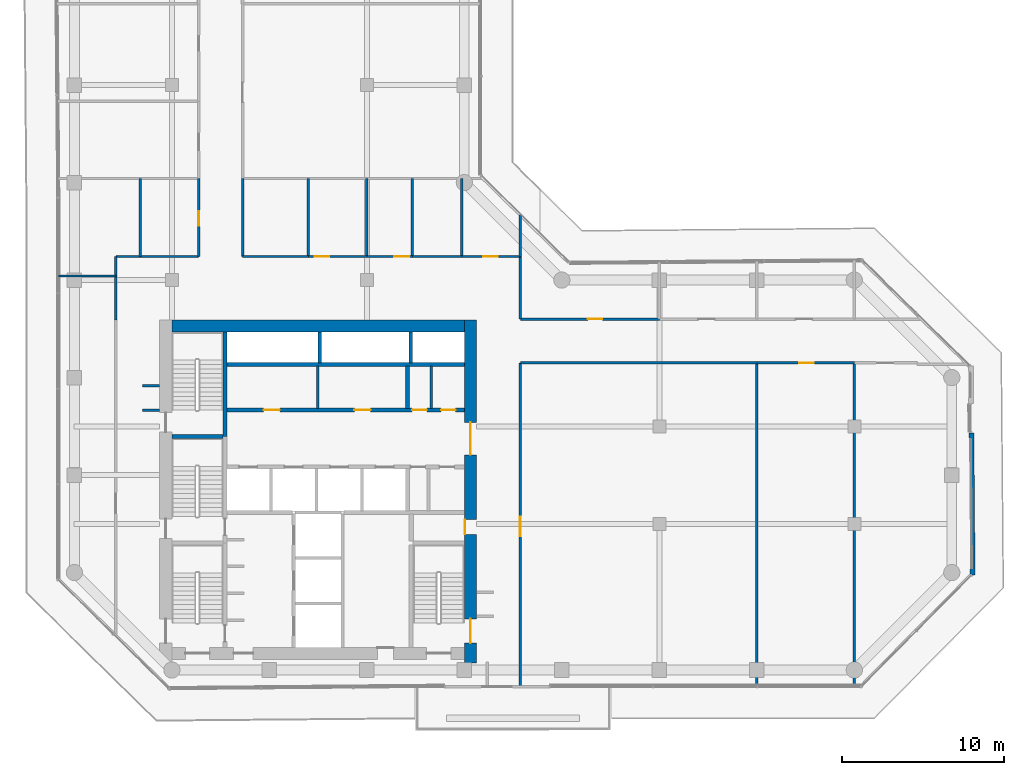
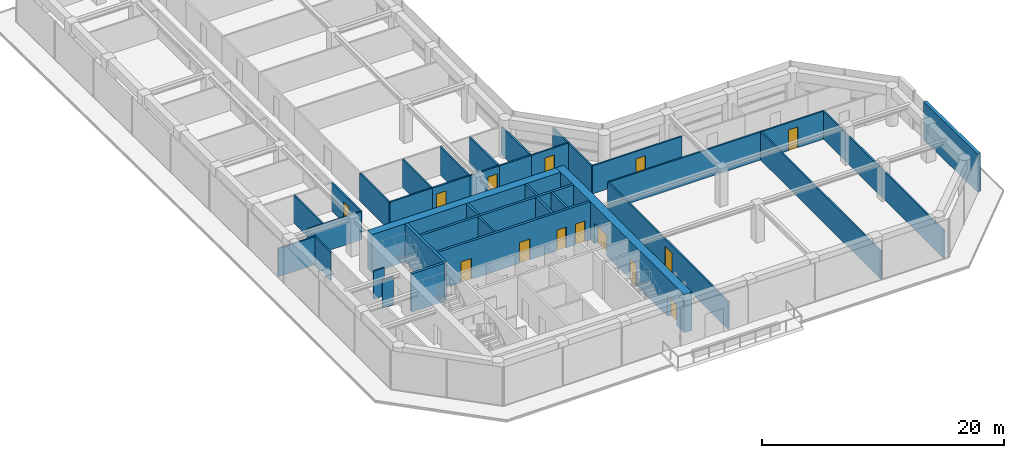
# One storey, part 17 of 21: 37 walls, 14 doors, 14 openings.
"""IFC4 building model written with IfcOpenShell, lengths in metres."""

from ifc_helpers import new_model, si_unit, direction, frame, frame_2d, origin, place, context, subcontext, project, spatial, rectangle, extrude, material, layer, layer_set, type_object, element, fill, save


model = new_model("IFC4")

# Units and contexts
model_context = context("Model", 3, precision=1e-05, world=origin(), true_north=direction((0.0, 1.0)))
body_context = subcontext(model_context, "Body", "Model", "MODEL_VIEW")
ifc_project = project(units=[si_unit("LENGTHUNIT", "METRE"), si_unit("AREAUNIT", "SQUARE_METRE"), si_unit("VOLUMEUNIT", "CUBIC_METRE"), si_unit("PLANEANGLEUNIT", "RADIAN"), si_unit("MASSUNIT", "GRAM", prefix="KILO")], contexts=[model_context])

# Site, building, storey
site_placement = place(None, origin())
site = spatial("IfcSite", under=ifc_project, at=site_placement, CompositionType="ELEMENT")
building_placement = place(site_placement, origin())
building = spatial("IfcBuilding", under=site, at=building_placement, Name="Welwitschia Terrace Campus", CompositionType="ELEMENT")
storey_placement = place(building_placement, frame((0.0, 0.0, 108.800048828125)))
storey = spatial("IfcBuildingStorey", under=building, at=storey_placement, Name="L24", CompositionType="ELEMENT", Elevation=108.800048828125)

# Walls
ifc_material_1 = material(Name="Concrete C32/40", Category="concrete")
ifc_layer_1 = layer(ifc_material_1, 0.175048828125)
ifc_layer_set_1 = layer_set([ifc_layer_1], Name="Concrete C32/40")
wall_type_1 = type_object("IfcWallType", Name="Core partition 175 Concrete C32/40", PredefinedType="PARTITIONING", material=ifc_layer_set_1)
for number, where, z_axis, x_axis, name in (
    (1, (14.97509765625, 20.10009765625, 0.0), (0.0, 0.0, 1.0), (0.0, 1.0, 0.0), "Core partition"),
    (2, (21.9599609375, 20.10009765625, 0.0), (0.0, 0.0, 1.0), (0.0, 1.0, 0.0), "Core partition"),
):
    element("IfcWall", number, at=place(storey_placement, frame(where, z_axis=z_axis, x_axis=x_axis)), inside=storey, type_object=wall_type_1, Name=name, PredefinedType="PARTITIONING", context=body_context, shape_type="SweptSolid", body=[
        extrude(rectangle(XDim=2.599853515625, YDim=0.175048828125, at=frame_2d((1.2998046875, 0.0))), origin(), (0.0, 0.0, 1.0), 3.849853515625),
    ])

# Wall, openings, doors
ifc_material_2 = material(Name="Concrete C32/40", Category="concrete")
ifc_layer_2 = layer(ifc_material_2, 0.22509765625)
ifc_layer_set_2 = layer_set([ifc_layer_2], Name="Concrete C32/40")
wall_type_2 = type_object("IfcWallType", Name="Core partition 225 Concrete C32/40", PredefinedType="PARTITIONING", material=ifc_layer_set_2)
wall_1_placement = place(storey_placement, frame((24.0, 20.0, 0.0), z_axis=(0.0, 0.0, 1.0), x_axis=(-1.0, 0.0, 0.0)))
wall_1 = element("IfcWall", 3, at=wall_1_placement, inside=storey, type_object=wall_type_2, Name="Core partition", PredefinedType="PARTITIONING", context=body_context, shape_type="SweptSolid", body=[
    extrude(rectangle(XDim=14.60009765625, YDim=0.22509765625, at=frame_2d((7.300048828125, 0.0))), origin(), (0.0, 0.0, 1.0), 3.849853515625),
])
opening_1_placement = place(wall_1_placement, frame((11.35009765625, 0.0, 0.0)))
opening_1 = element("IfcOpeningElement", 4, at=opening_1_placement, cuts=wall_1, Name="Opening DR10", PredefinedType="OPENING", context=body_context, shape_type="SweptSolid", body=[
    extrude(rectangle(XDim=1.0, YDim=2.10009765625, at=frame_2d((0.5, 1.050048828125))), frame((0.0, 0.12255859375, 0.0), z_axis=(0.0, -1.0, 0.0), x_axis=(1.0, 0.0, 0.0)), (0.0, 0.0, 1.0), 0.2451171875),
])
opening_2_placement = place(wall_1_placement, frame((5.77490234375, 0.0, 0.0)))
opening_2 = element("IfcOpeningElement", 5, at=opening_2_placement, cuts=wall_1, Name="Opening DR10", PredefinedType="OPENING", context=body_context, shape_type="SweptSolid", body=[
    extrude(rectangle(XDim=1.0, YDim=2.10009765625, at=frame_2d((0.5, 1.050048828125))), frame((0.0, 0.12255859375, 0.0), z_axis=(0.0, -1.0, 0.0), x_axis=(1.0, 0.0, 0.0)), (0.0, 0.0, 1.0), 0.2451171875),
])
opening_3_placement = place(wall_1_placement, frame((2.3076171875, 0.0, 0.0)))
opening_3 = element("IfcOpeningElement", 6, at=opening_3_placement, cuts=wall_1, Name="Opening DR09", PredefinedType="OPENING", context=body_context, shape_type="SweptSolid", body=[
    extrude(rectangle(XDim=0.89990234375, YDim=2.10009765625, at=frame_2d((0.449951171875, 1.050048828125))), frame((0.0, 0.12255859375, 0.0), z_axis=(0.0, -1.0, 0.0), x_axis=(1.0, 0.0, 0.0)), (0.0, 0.0, 1.0), 0.2451171875),
])
opening_4_placement = place(wall_1_placement, frame((0.532470703125, 0.0, 0.0)))
opening_4 = element("IfcOpeningElement", 7, at=opening_4_placement, cuts=wall_1, Name="Opening DR09", PredefinedType="OPENING", context=body_context, shape_type="SweptSolid", body=[
    extrude(rectangle(XDim=0.89990234375, YDim=2.10009765625, at=frame_2d((0.449951171875, 1.050048828125))), frame((0.0, 0.12255859375, 0.0), z_axis=(0.0, -1.0, 0.0), x_axis=(1.0, 0.0, 0.0)), (0.0, 0.0, 1.0), 0.2451171875),
])
ifc_material_3 = material(Name="Steel S275", Category="steel")
door_type_1 = type_object("IfcDoorType", Name="Core door DR09", OperationType="SINGLE_SWING_LEFT", PredefinedType="DOOR", material=ifc_material_3)
door_1_placement = place(opening_3_placement, origin())
door_1 = element("IfcDoor", 8, at=door_1_placement, inside=storey, type_object=door_type_1, Name="Door EH1-D", OperationType="SINGLE_SWING_LEFT", OverallHeight=2.10009765625, OverallWidth=0.89990234375, PredefinedType="DOOR", context=body_context, shape_type="SweptSolid", body=[
    extrude(rectangle(XDim=0.89990234375, YDim=2.10009765625, at=frame_2d((0.449951171875, 1.050048828125))), frame((0.0, 0.02490234375, 0.0), z_axis=(0.0, -1.0, 0.0), x_axis=(1.0, 0.0, 0.0)), (0.0, 0.0, 1.0), 0.050048828125),
])
fill(opening_3, door_1)
door_2_placement = place(opening_4_placement, origin())
door_2 = element("IfcDoor", 9, at=door_2_placement, inside=storey, type_object=door_type_1, Name="Door EH2-D", OperationType="SINGLE_SWING_LEFT", OverallHeight=2.10009765625, OverallWidth=0.89990234375, PredefinedType="DOOR", context=body_context, shape_type="SweptSolid", body=[
    extrude(rectangle(XDim=0.89990234375, YDim=2.10009765625, at=frame_2d((0.449951171875, 1.050048828125))), frame((0.0, 0.02490234375, 0.0), z_axis=(0.0, -1.0, 0.0), x_axis=(1.0, 0.0, 0.0)), (0.0, 0.0, 1.0), 0.050048828125),
])
fill(opening_4, door_2)
ifc_material_4 = material(Name="Steel S275", Category="steel")
door_type_2 = type_object("IfcDoorType", Name="Core door DR10", OperationType="SINGLE_SWING_LEFT", PredefinedType="DOOR", material=ifc_material_4)
door_3_placement = place(opening_1_placement, origin())
door_3 = element("IfcDoor", 10, at=door_3_placement, inside=storey, type_object=door_type_2, Name="Door BAYH1-D", OperationType="SINGLE_SWING_RIGHT", OverallHeight=2.10009765625, OverallWidth=1.0, PredefinedType="DOOR", context=body_context, shape_type="SweptSolid", body=[
    extrude(rectangle(XDim=1.0, YDim=2.10009765625, at=frame_2d((0.5, 1.050048828125))), frame((0.0, 0.02490234375, 0.0), z_axis=(0.0, -1.0, 0.0), x_axis=(1.0, 0.0, 0.0)), (0.0, 0.0, 1.0), 0.050048828125),
])
fill(opening_1, door_3)
door_4_placement = place(opening_2_placement, origin())
door_4 = element("IfcDoor", 11, at=door_4_placement, inside=storey, type_object=door_type_2, Name="Door BAYH2-D", OperationType="SINGLE_SWING_LEFT", OverallHeight=2.10009765625, OverallWidth=1.0, PredefinedType="DOOR", context=body_context, shape_type="SweptSolid", body=[
    extrude(rectangle(XDim=1.0, YDim=2.10009765625, at=frame_2d((0.5, 1.050048828125))), frame((0.0, 0.02490234375, 0.0), z_axis=(0.0, -1.0, 0.0), x_axis=(1.0, 0.0, 0.0)), (0.0, 0.0, 1.0), 0.050048828125),
])
fill(opening_2, door_4)

# Walls
wall_2_placement = place(storey_placement, frame((9.39990234375, 22.800048828125, 0.0), z_axis=(0.0, 0.0, 1.0), x_axis=(1.0, 0.0, 0.0)))
element("IfcWall", 12, at=wall_2_placement, inside=storey, type_object=wall_type_2, Name="Shaft wall", PredefinedType="PARTITIONING", context=body_context, shape_type="SweptSolid", body=[
    extrude(rectangle(XDim=14.60009765625, YDim=0.22509765625, at=frame_2d((7.300048828125, 0.0))), origin(), (0.0, 0.0, 1.0), 3.849853515625),
])
wall_3_placement = place(storey_placement, frame((20.5, 20.10009765625, 0.0), z_axis=(0.0, 0.0, 1.0), x_axis=(0.0, 1.0, 0.0)))
element("IfcWall", 13, at=wall_3_placement, inside=storey, type_object=wall_type_2, Name="Core partition", PredefinedType="PARTITIONING", context=body_context, shape_type="SweptSolid", body=[
    extrude(rectangle(XDim=2.599853515625, YDim=0.22509765625, at=frame_2d((1.2998046875, 0.0))), origin(), (0.0, 0.0, 1.0), 3.849853515625),
])
ifc_material_5 = material(Name="Concrete C50/60", Category="concrete")
ifc_layer_3 = layer(ifc_material_5, 0.199951171875)
ifc_layer_set_3 = layer_set([ifc_layer_3], Name="Concrete C50/60")
wall_type_3 = type_object("IfcWallType", Name="Core wall 200 Concrete C50/60", PredefinedType="SHEAR", material=ifc_layer_set_3)
for number, where, z_axis, x_axis, name in (
    (14, (15.10009765625, 22.89990234375, 0.0), (0.0, 0.0, 1.0), (0.0, 1.0, 0.0), "Core wall"),
    (15, (20.699951171875, 22.89990234375, 0.0), (0.0, 0.0, 1.0), (0.0, 1.0, 0.0), "Core wall"),
):
    element("IfcWall", number, at=place(storey_placement, frame(where, z_axis=z_axis, x_axis=x_axis)), inside=storey, type_object=wall_type_3, Name=name, PredefinedType="SHEAR", context=body_context, shape_type="SweptSolid", body=[
        extrude(rectangle(XDim=1.900146484375, YDim=0.199951171875, at=frame_2d((0.9501953125, 0.0))), origin(), (0.0, 0.0, 1.0), 3.849853515625),
    ])
ifc_material_6 = material(Name="Concrete C50/60", Category="concrete")
ifc_layer_4 = layer(ifc_material_6, 0.25)
ifc_layer_set_4 = layer_set([ifc_layer_4], Name="Concrete C50/60")
wall_type_4 = type_object("IfcWallType", Name="Core wall 250 Concrete C50/60", PredefinedType="SHEAR", material=ifc_layer_set_4)
wall_4_placement = place(storey_placement, frame((6.0, 18.375, 0.0), z_axis=(0.0, 0.0, 1.0), x_axis=(1.0, 0.0, 0.0)))
element("IfcWall", 16, at=wall_4_placement, inside=storey, type_object=wall_type_4, Name="Core wall", PredefinedType="SHEAR", context=body_context, shape_type="SweptSolid", body=[
    extrude(rectangle(XDim=3.14990234375, YDim=0.25, at=frame_2d((1.574951171875, 0.0))), origin(), (0.0, 0.0, 1.0), 3.849853515625),
])
wall_5_placement = place(storey_placement, frame((9.27490234375, 18.375, 0.0), z_axis=(0.0, 0.0, 1.0), x_axis=(0.0, 1.0, 0.0)))
element("IfcWall", 17, at=wall_5_placement, inside=storey, type_object=wall_type_4, Name="Core wall", PredefinedType="SHEAR", context=body_context, shape_type="SweptSolid", body=[
    extrude(rectangle(XDim=6.425048828125, YDim=0.25, at=frame_2d((3.21240234375, 0.0))), origin(), (0.0, 0.0, 1.0), 3.849853515625),
])

# Wall, openings, doors
ifc_material_7 = material(Name="Concrete C70/85", Category="concrete")
ifc_layer_5 = layer(ifc_material_7, 0.75)
ifc_layer_set_5 = layer_set([ifc_layer_5], Name="Concrete C70/85")
wall_type_5 = type_object("IfcWallType", Name="Core wall 750 Concrete C70/85", PredefinedType="SHEAR", material=ifc_layer_set_5)
wall_6_placement = place(storey_placement, frame((24.375, 25.550048828125, 0.0), z_axis=(0.0, 0.0, 1.0), x_axis=(0.0, -1.0, 0.0)))
wall_6 = element("IfcWall", 18, at=wall_6_placement, inside=storey, type_object=wall_type_5, Name="Core outer wall", PredefinedType="SHEAR", context=body_context, shape_type="SweptSolid", body=[
    extrude(rectangle(XDim=21.130126953125, YDim=0.75, at=frame_2d((10.56494140625, 0.0))), origin(), (0.0, 0.0, 1.0), 3.849853515625),
])
opening_5_placement = place(wall_6_placement, frame((18.39990234375, 0.0, 0.0)))
opening_5 = element("IfcOpeningElement", 19, at=opening_5_placement, cuts=wall_6, Name="Opening DS15", PredefinedType="OPENING", context=body_context, shape_type="SweptSolid", body=[
    extrude(rectangle(XDim=1.5, YDim=2.10009765625, at=frame_2d((0.75, 1.050048828125))), frame((0.0, 0.385009765625, 0.0), z_axis=(0.0, -1.0, 0.0), x_axis=(1.0, 0.0, 0.0)), (0.0, 0.0, 1.0), 0.77001953125),
])
opening_6_placement = place(wall_6_placement, frame((12.300048828125, 0.0, 0.0)))
opening_6 = element("IfcOpeningElement", 20, at=opening_6_placement, cuts=wall_6, Name="Opening DR09", PredefinedType="OPENING", context=body_context, shape_type="SweptSolid", body=[
    extrude(rectangle(XDim=0.89990234375, YDim=2.10009765625, at=frame_2d((0.449951171875, 1.050048828125))), frame((0.0, 0.385009765625, 0.0), z_axis=(0.0, -1.0, 0.0), x_axis=(1.0, 0.0, 0.0)), (0.0, 0.0, 1.0), 0.77001953125),
])
opening_7_placement = place(wall_6_placement, frame((6.300048828125, 0.0, 0.0)))
opening_7 = element("IfcOpeningElement", 21, at=opening_7_placement, cuts=wall_6, Name="Opening DL20", PredefinedType="OPENING", context=body_context, shape_type="SweptSolid", body=[
    extrude(rectangle(XDim=2.0, YDim=2.10009765625, at=frame_2d((1.0, 1.050048828125))), frame((0.0, 0.385009765625, 0.0), z_axis=(0.0, -1.0, 0.0), x_axis=(1.0, 0.0, 0.0)), (0.0, 0.0, 1.0), 0.77001953125),
])
ifc_material_8 = material(Name="Steel S275", Category="steel")
door_type_3 = type_object("IfcDoorType", Name="Core door DL20", OperationType="DOUBLE_DOOR_SINGLE_SWING", PredefinedType="DOOR", material=ifc_material_8)
door_5_placement = place(opening_7_placement, origin())
door_5 = element("IfcDoor", 22, at=door_5_placement, inside=storey, type_object=door_type_3, Name="Door LOBBY-out", OperationType="DOUBLE_DOOR_SINGLE_SWING", OverallHeight=2.10009765625, OverallWidth=2.0, PredefinedType="DOOR", context=body_context, shape_type="SweptSolid", body=[
    extrude(rectangle(XDim=2.0, YDim=2.10009765625, at=frame_2d((1.0, 1.050048828125))), frame((0.0, 0.02490234375, 0.0), z_axis=(0.0, -1.0, 0.0), x_axis=(1.0, 0.0, 0.0)), (0.0, 0.0, 1.0), 0.050048828125),
])
fill(opening_7, door_5)
door_6_placement = place(opening_6_placement, origin())
door_6 = element("IfcDoor", 23, at=door_6_placement, inside=storey, type_object=door_type_1, Name="Door F1B-out", OperationType="SINGLE_SWING_RIGHT", OverallHeight=2.10009765625, OverallWidth=0.89990234375, PredefinedType="DOOR", context=body_context, shape_type="SweptSolid", body=[
    extrude(rectangle(XDim=0.89990234375, YDim=2.10009765625, at=frame_2d((0.449951171875, 1.050048828125))), frame((0.0, -0.31494140625, 0.0), z_axis=(0.0, -1.0, 0.0), x_axis=(1.0, 0.0, 0.0)), (0.0, 0.0, 1.0), 0.050048828125),
])
fill(opening_6, door_6)
ifc_material_9 = material(Name="Steel S275", Category="steel")
door_type_4 = type_object("IfcDoorType", Name="Core door DS15", OperationType="DOUBLE_DOOR_SINGLE_SWING", PredefinedType="DOOR", material=ifc_material_9)
door_7_placement = place(opening_5_placement, origin())
door_7 = element("IfcDoor", 24, at=door_7_placement, inside=storey, type_object=door_type_4, Name="Door S2-out", OperationType="DOUBLE_DOOR_SINGLE_SWING", OverallHeight=2.10009765625, OverallWidth=1.5, PredefinedType="DOOR", context=body_context, shape_type="SweptSolid", body=[
    extrude(rectangle(XDim=1.5, YDim=2.10009765625, at=frame_2d((0.75, 1.050048828125))), frame((0.0, 0.02490234375, 0.0), z_axis=(0.0, -1.0, 0.0), x_axis=(1.0, 0.0, 0.0)), (0.0, 0.0, 1.0), 0.050048828125),
])
fill(opening_5, door_7)

# Walls
wall_7_placement = place(storey_placement, frame((6.0, 25.175048828125, 0.0), z_axis=(0.0, 0.0, 1.0), x_axis=(1.0, 0.0, 0.0)))
element("IfcWall", 25, at=wall_7_placement, inside=storey, type_object=wall_type_5, Name="Core outer wall", PredefinedType="SHEAR", context=body_context, shape_type="SweptSolid", body=[
    extrude(rectangle(XDim=18.0, YDim=0.75, at=frame_2d((9.0, 0.0))), origin(), (0.0, 0.0, 1.0), 3.849853515625),
])
ifc_material_10 = material(Name="Gypsum board on steel studs", Category="steel")
ifc_layer_6 = layer(ifc_material_10, 0.14990234375)
ifc_layer_set_6 = layer_set([ifc_layer_6], Name="Gypsum board on steel studs")
wall_type_6 = type_object("IfcWallType", Name="Corridor partition 150 EI 30", PredefinedType="PARTITIONING", material=ifc_layer_set_6)
wall_8_placement = place(storey_placement, frame((-0.97998046875, 28.25, 0.0), z_axis=(0.0, 0.0, 1.0), x_axis=(1.0, 0.0, 0.0)))
element("IfcWall", 26, at=wall_8_placement, inside=storey, type_object=wall_type_6, Name="Partition", PredefinedType="PARTITIONING", context=body_context, shape_type="SweptSolid", body=[
    extrude(rectangle(XDim=3.530029296875, YDim=0.14990234375, at=frame_2d((1.76513671875, 0.0))), origin(), (0.0, 0.0, 1.0), 2.829833984375),
])
wall_9_placement = place(storey_placement, frame((2.550048828125, 25.550048828125, 0.0), z_axis=(0.0, 0.0, 1.0), x_axis=(0.0, 1.0, 0.0)))
element("IfcWall", 27, at=wall_9_placement, inside=storey, type_object=wall_type_6, Name="Partition", PredefinedType="PARTITIONING", context=body_context, shape_type="SweptSolid", body=[
    extrude(rectangle(XDim=3.89990234375, YDim=0.14990234375, at=frame_2d((1.949951171875, 0.0))), origin(), (0.0, 0.0, 1.0), 2.829833984375),
])
wall_10_placement = place(storey_placement, frame((2.550048828125, 29.449951171875, 0.0), z_axis=(0.0, 0.0, 1.0), x_axis=(1.0, 0.0, 0.0)))
element("IfcWall", 28, at=wall_10_placement, inside=storey, type_object=wall_type_6, Name="Partition", PredefinedType="PARTITIONING", context=body_context, shape_type="SweptSolid", body=[
    extrude(rectangle(XDim=5.099853515625, YDim=0.14990234375, at=frame_2d((2.5498046875, 0.0))), origin(), (0.0, 0.0, 1.0), 2.829833984375),
])
wall_11_placement = place(storey_placement, frame((4.050048828125, 29.449951171875, 0.0), z_axis=(0.0, 0.0, 1.0), x_axis=(0.0, 1.0, 0.0)))
element("IfcWall", 29, at=wall_11_placement, inside=storey, type_object=wall_type_6, Name="Partition", PredefinedType="PARTITIONING", context=body_context, shape_type="SweptSolid", body=[
    extrude(rectangle(XDim=4.800048828125, YDim=0.14990234375, at=frame_2d((2.39990234375, 0.0))), origin(), (0.0, 0.0, 1.0), 2.829833984375),
])
for number, where, z_axis, x_axis, name in (
    (30, (4.199951171875, 20.0, 0.0), (0.0, 0.0, 1.0), (1.0, 0.0, 0.0), "Partition"),
    (31, (4.199951171875, 21.5, 0.0), (0.0, 0.0, 1.0), (1.0, 0.0, 0.0), "Partition"),
):
    element("IfcWall", number, at=place(storey_placement, frame(where, z_axis=z_axis, x_axis=x_axis)), inside=storey, type_object=wall_type_6, Name=name, PredefinedType="PARTITIONING", context=body_context, shape_type="SweptSolid", body=[
        extrude(rectangle(XDim=1.050048828125, YDim=0.14990234375, at=frame_2d((0.52490234375, 0.0))), origin(), (0.0, 0.0, 1.0), 2.829833984375),
    ])

# Wall, opening, door
wall_12_placement = place(storey_placement, frame((7.64990234375, 29.449951171875, 0.0), z_axis=(0.0, 0.0, 1.0), x_axis=(0.0, 1.0, 0.0)))
wall_12 = element("IfcWall", 32, at=wall_12_placement, inside=storey, type_object=wall_type_6, Name="Partition", PredefinedType="PARTITIONING", context=body_context, shape_type="SweptSolid", body=[
    extrude(rectangle(XDim=4.800048828125, YDim=0.14990234375, at=frame_2d((2.39990234375, 0.0))), origin(), (0.0, 0.0, 1.0), 2.829833984375),
])
opening_8_placement = place(wall_12_placement, frame((1.89990234375, 0.0, 0.0)))
opening_8 = element("IfcOpeningElement", 33, at=opening_8_placement, cuts=wall_12, Name="Opening DI09", PredefinedType="OPENING", context=body_context, shape_type="SweptSolid", body=[
    extrude(rectangle(XDim=0.89990234375, YDim=2.10009765625, at=frame_2d((0.449951171875, 1.050048828125))), frame((0.0, 0.0849609375, 0.0), z_axis=(0.0, -1.0, 0.0), x_axis=(1.0, 0.0, 0.0)), (0.0, 0.0, 1.0), 0.169921875),
])
ifc_material_11 = material(Name="Timber veneered door", Category="wood")
door_type_5 = type_object("IfcDoorType", Name="Interior door DI09", OperationType="NOTDEFINED", PredefinedType="DOOR", material=ifc_material_11)
door_8_placement = place(opening_8_placement, origin())
door_8 = element("IfcDoor", 34, at=door_8_placement, inside=storey, type_object=door_type_5, Name="Door L24 522", OperationType="SINGLE_SWING_LEFT", OverallHeight=2.10009765625, OverallWidth=0.89990234375, PredefinedType="DOOR", context=body_context, shape_type="SweptSolid", body=[
    extrude(rectangle(XDim=0.89990234375, YDim=2.10009765625, at=frame_2d((0.449951171875, 1.050048828125))), frame((0.0, 0.02490234375, 0.0), z_axis=(0.0, -1.0, 0.0), x_axis=(1.0, 0.0, 0.0)), (0.0, 0.0, 1.0), 0.050048828125),
])
fill(opening_8, door_8)

# Walls
wall_13_placement = place(storey_placement, frame((10.35009765625, 29.449951171875, 0.0), z_axis=(0.0, 0.0, 1.0), x_axis=(0.0, 1.0, 0.0)))
element("IfcWall", 35, at=wall_13_placement, inside=storey, type_object=wall_type_6, Name="Partition", PredefinedType="PARTITIONING", context=body_context, shape_type="SweptSolid", body=[
    extrude(rectangle(XDim=4.800048828125, YDim=0.14990234375, at=frame_2d((2.39990234375, 0.0))), origin(), (0.0, 0.0, 1.0), 2.829833984375),
])
wall_14_placement = place(storey_placement, frame((10.35009765625, 29.449951171875, 0.0), z_axis=(0.0, 0.0, 1.0), x_axis=(1.0, 0.0, 0.0)))
element("IfcWall", 36, at=wall_14_placement, inside=storey, type_object=wall_type_6, Name="Partition", PredefinedType="PARTITIONING", context=body_context, shape_type="SweptSolid", body=[
    extrude(rectangle(XDim=4.0498046875, YDim=0.14990234375, at=frame_2d((2.02490234375, 0.0))), origin(), (0.0, 0.0, 1.0), 2.829833984375),
])
wall_15_placement = place(storey_placement, frame((14.39990234375, 29.449951171875, 0.0), z_axis=(0.0, 0.0, 1.0), x_axis=(0.0, 1.0, 0.0)))
element("IfcWall", 37, at=wall_15_placement, inside=storey, type_object=wall_type_6, Name="Partition", PredefinedType="PARTITIONING", context=body_context, shape_type="SweptSolid", body=[
    extrude(rectangle(XDim=4.800048828125, YDim=0.14990234375, at=frame_2d((2.39990234375, 0.0))), origin(), (0.0, 0.0, 1.0), 2.829833984375),
])

# Wall, opening, door
wall_16_placement = place(storey_placement, frame((14.39990234375, 29.449951171875, 0.0), z_axis=(0.0, 0.0, 1.0), x_axis=(1.0, 0.0, 0.0)))
wall_16 = element("IfcWall", 38, at=wall_16_placement, inside=storey, type_object=wall_type_6, Name="Partition", PredefinedType="PARTITIONING", context=body_context, shape_type="SweptSolid", body=[
    extrude(rectangle(XDim=3.60009765625, YDim=0.14990234375, at=frame_2d((1.800048828125, 0.0))), origin(), (0.0, 0.0, 1.0), 2.829833984375),
])
opening_9_placement = place(wall_16_placement, frame((0.39990234375, 0.0, 0.0)))
opening_9 = element("IfcOpeningElement", 39, at=opening_9_placement, cuts=wall_16, Name="Opening DI09", PredefinedType="OPENING", context=body_context, shape_type="SweptSolid", body=[
    extrude(rectangle(XDim=0.89990234375, YDim=2.10009765625, at=frame_2d((0.449951171875, 1.050048828125))), frame((0.0, 0.0849609375, 0.0), z_axis=(0.0, -1.0, 0.0), x_axis=(1.0, 0.0, 0.0)), (0.0, 0.0, 1.0), 0.169921875),
])
door_9_placement = place(opening_9_placement, origin())
door_9 = element("IfcDoor", 40, at=door_9_placement, inside=storey, type_object=door_type_5, Name="Door L24 533", OperationType="SINGLE_SWING_RIGHT", OverallHeight=2.10009765625, OverallWidth=0.89990234375, PredefinedType="DOOR", context=body_context, shape_type="SweptSolid", body=[
    extrude(rectangle(XDim=0.89990234375, YDim=2.10009765625, at=frame_2d((0.449951171875, 1.050048828125))), frame((0.0, 0.02490234375, 0.0), z_axis=(0.0, -1.0, 0.0), x_axis=(1.0, 0.0, 0.0)), (0.0, 0.0, 1.0), 0.050048828125),
])
fill(opening_9, door_9)

# Wall
wall_17_placement = place(storey_placement, frame((18.0, 29.449951171875, 0.0), z_axis=(0.0, 0.0, 1.0), x_axis=(0.0, 1.0, 0.0)))
element("IfcWall", 41, at=wall_17_placement, inside=storey, type_object=wall_type_6, Name="Partition", PredefinedType="PARTITIONING", context=body_context, shape_type="SweptSolid", body=[
    extrude(rectangle(XDim=4.800048828125, YDim=0.14990234375, at=frame_2d((2.39990234375, 0.0))), origin(), (0.0, 0.0, 1.0), 2.829833984375),
])

# Wall, opening, door
wall_18_placement = place(storey_placement, frame((18.0, 29.449951171875, 0.0), z_axis=(0.0, 0.0, 1.0), x_axis=(1.0, 0.0, 0.0)))
wall_18 = element("IfcWall", 42, at=wall_18_placement, inside=storey, type_object=wall_type_6, Name="Partition", PredefinedType="PARTITIONING", context=body_context, shape_type="SweptSolid", body=[
    extrude(rectangle(XDim=2.800048828125, YDim=0.14990234375, at=frame_2d((1.39990234375, 0.0))), origin(), (0.0, 0.0, 1.0), 2.829833984375),
])
opening_10_placement = place(wall_18_placement, frame((1.699951171875, 0.0, 0.0)))
opening_10 = element("IfcOpeningElement", 43, at=opening_10_placement, cuts=wall_18, Name="Opening DI09", PredefinedType="OPENING", context=body_context, shape_type="SweptSolid", body=[
    extrude(rectangle(XDim=0.89990234375, YDim=2.10009765625, at=frame_2d((0.449951171875, 1.050048828125))), frame((0.0, 0.0849609375, 0.0), z_axis=(0.0, -1.0, 0.0), x_axis=(1.0, 0.0, 0.0)), (0.0, 0.0, 1.0), 0.169921875),
])
door_10_placement = place(opening_10_placement, origin())
door_10 = element("IfcDoor", 44, at=door_10_placement, inside=storey, type_object=door_type_5, Name="Door L24 534", OperationType="SINGLE_SWING_LEFT", OverallHeight=2.10009765625, OverallWidth=0.89990234375, PredefinedType="DOOR", context=body_context, shape_type="SweptSolid", body=[
    extrude(rectangle(XDim=0.89990234375, YDim=2.10009765625, at=frame_2d((0.449951171875, 1.050048828125))), frame((0.0, 0.02490234375, 0.0), z_axis=(0.0, -1.0, 0.0), x_axis=(1.0, 0.0, 0.0)), (0.0, 0.0, 1.0), 0.050048828125),
])
fill(opening_10, door_10)

# Walls
wall_19_placement = place(storey_placement, frame((20.800048828125, 29.449951171875, 0.0), z_axis=(0.0, 0.0, 1.0), x_axis=(0.0, 1.0, 0.0)))
element("IfcWall", 45, at=wall_19_placement, inside=storey, type_object=wall_type_6, Name="Partition", PredefinedType="PARTITIONING", context=body_context, shape_type="SweptSolid", body=[
    extrude(rectangle(XDim=4.800048828125, YDim=0.14990234375, at=frame_2d((2.39990234375, 0.0))), origin(), (0.0, 0.0, 1.0), 2.829833984375),
])
wall_20_placement = place(storey_placement, frame((20.800048828125, 29.449951171875, 0.0), z_axis=(0.0, 0.0, 1.0), x_axis=(1.0, 0.0, 0.0)))
element("IfcWall", 46, at=wall_20_placement, inside=storey, type_object=wall_type_6, Name="Partition", PredefinedType="PARTITIONING", context=body_context, shape_type="SweptSolid", body=[
    extrude(rectangle(XDim=3.050048828125, YDim=0.14990234375, at=frame_2d((1.52490234375, 0.0))), origin(), (0.0, 0.0, 1.0), 2.829833984375),
])
wall_21_placement = place(storey_placement, frame((23.85009765625, 29.449951171875, 0.0), z_axis=(0.0, 0.0, 1.0), x_axis=(0.0, 1.0, 0.0)))
element("IfcWall", 47, at=wall_21_placement, inside=storey, type_object=wall_type_6, Name="Partition", PredefinedType="PARTITIONING", context=body_context, shape_type="SweptSolid", body=[
    extrude(rectangle(XDim=4.800048828125, YDim=0.14990234375, at=frame_2d((2.39990234375, 0.0))), origin(), (0.0, 0.0, 1.0), 2.829833984375),
])

# Wall, opening, door
wall_22_placement = place(storey_placement, frame((23.85009765625, 29.449951171875, 0.0), z_axis=(0.0, 0.0, 1.0), x_axis=(1.0, 0.0, 0.0)))
wall_22 = element("IfcWall", 48, at=wall_22_placement, inside=storey, type_object=wall_type_6, Name="Partition", PredefinedType="PARTITIONING", context=body_context, shape_type="SweptSolid", body=[
    extrude(rectangle(XDim=3.599853515625, YDim=0.14990234375, at=frame_2d((1.7998046875, 0.0))), origin(), (0.0, 0.0, 1.0), 2.829833984375),
])
opening_11_placement = place(wall_22_placement, frame((1.300048828125, 0.0, 0.0)))
opening_11 = element("IfcOpeningElement", 49, at=opening_11_placement, cuts=wall_22, Name="Opening DI09", PredefinedType="OPENING", context=body_context, shape_type="SweptSolid", body=[
    extrude(rectangle(XDim=0.89990234375, YDim=2.10009765625, at=frame_2d((0.449951171875, 1.050048828125))), frame((0.0, 0.0849609375, 0.0), z_axis=(0.0, -1.0, 0.0), x_axis=(1.0, 0.0, 0.0)), (0.0, 0.0, 1.0), 0.169921875),
])
door_11_placement = place(opening_11_placement, origin())
door_11 = element("IfcDoor", 50, at=door_11_placement, inside=storey, type_object=door_type_5, Name="Door L24 535", OperationType="SINGLE_SWING_RIGHT", OverallHeight=2.10009765625, OverallWidth=0.89990234375, PredefinedType="DOOR", context=body_context, shape_type="SweptSolid", body=[
    extrude(rectangle(XDim=0.89990234375, YDim=2.10009765625, at=frame_2d((0.449951171875, 1.050048828125))), frame((0.0, 0.02490234375, 0.0), z_axis=(0.0, -1.0, 0.0), x_axis=(1.0, 0.0, 0.0)), (0.0, 0.0, 1.0), 0.050048828125),
])
fill(opening_11, door_11)

wall_23_placement = place(storey_placement, frame((27.449951171875, 22.89990234375, 0.0), z_axis=(0.0, 0.0, 1.0), x_axis=(0.0, -1.0, 0.0)))
wall_23 = element("IfcWall", 51, at=wall_23_placement, inside=storey, type_object=wall_type_6, Name="Partition", PredefinedType="PARTITIONING", context=body_context, shape_type="SweptSolid", body=[
    extrude(rectangle(XDim=19.8798828125, YDim=0.14990234375, at=frame_2d((9.93994140625, 0.0))), origin(), (0.0, 0.0, 1.0), 2.829833984375),
])
opening_12_placement = place(wall_23_placement, frame((9.47998046875, 0.0, 0.0)))
opening_12 = element("IfcOpeningElement", 52, at=opening_12_placement, cuts=wall_23, Name="Opening DI12", PredefinedType="OPENING", context=body_context, shape_type="SweptSolid", body=[
    extrude(rectangle(XDim=1.199951171875, YDim=2.10009765625, at=frame_2d((0.60009765625, 1.050048828125))), frame((0.0, 0.0849609375, 0.0), z_axis=(0.0, -1.0, 0.0), x_axis=(1.0, 0.0, 0.0)), (0.0, 0.0, 1.0), 0.169921875),
])
ifc_material_12 = material(Name="Timber veneered door", Category="wood")
door_type_6 = type_object("IfcDoorType", Name="Interior door DI12", OperationType="NOTDEFINED", PredefinedType="DOOR", material=ifc_material_12)
door_12_placement = place(opening_12_placement, origin())
door_12 = element("IfcDoor", 53, at=door_12_placement, inside=storey, type_object=door_type_6, Name="Door L24 536", OperationType="SINGLE_SWING_LEFT", OverallHeight=2.10009765625, OverallWidth=1.199951171875, PredefinedType="DOOR", context=body_context, shape_type="SweptSolid", body=[
    extrude(rectangle(XDim=1.199951171875, YDim=2.10009765625, at=frame_2d((0.60009765625, 1.050048828125))), frame((0.0, 0.02490234375, 0.0), z_axis=(0.0, -1.0, 0.0), x_axis=(1.0, 0.0, 0.0)), (0.0, 0.0, 1.0), 0.050048828125),
])
fill(opening_12, door_12)

# Walls
wall_24_placement = place(storey_placement, frame((27.449951171875, 22.89990234375, 0.0), z_axis=(0.0, 0.0, 1.0), x_axis=(1.0, 0.0, 0.0)))
element("IfcWall", 54, at=wall_24_placement, inside=storey, type_object=wall_type_6, Name="Partition", PredefinedType="PARTITIONING", context=body_context, shape_type="SweptSolid", body=[
    extrude(rectangle(XDim=14.550048828125, YDim=0.14990234375, at=frame_2d((7.27490234375, 0.0))), origin(), (0.0, 0.0, 1.0), 2.829833984375),
])
wall_25_placement = place(storey_placement, frame((27.449951171875, 25.60009765625, 0.0), z_axis=(0.0, 0.0, 1.0), x_axis=(0.0, 1.0, 0.0)))
element("IfcWall", 55, at=wall_25_placement, inside=storey, type_object=wall_type_6, Name="Partition", PredefinedType="PARTITIONING", context=body_context, shape_type="SweptSolid", body=[
    extrude(rectangle(XDim=3.849853515625, YDim=0.14990234375, at=frame_2d((1.9248046875, 0.0))), origin(), (0.0, 0.0, 1.0), 2.829833984375),
])

# Wall, opening, door
wall_26_placement = place(storey_placement, frame((27.449951171875, 25.60009765625, 0.0), z_axis=(0.0, 0.0, 1.0), x_axis=(1.0, 0.0, 0.0)))
wall_26 = element("IfcWall", 56, at=wall_26_placement, inside=storey, type_object=wall_type_6, Name="Partition", PredefinedType="PARTITIONING", context=body_context, shape_type="SweptSolid", body=[
    extrude(rectangle(XDim=8.550048828125, YDim=0.14990234375, at=frame_2d((4.27490234375, 0.0))), origin(), (0.0, 0.0, 1.0), 2.829833984375),
])
opening_13_placement = place(wall_26_placement, frame((4.14990234375, 0.0, 0.0)))
opening_13 = element("IfcOpeningElement", 57, at=opening_13_placement, cuts=wall_26, Name="Opening DI09", PredefinedType="OPENING", context=body_context, shape_type="SweptSolid", body=[
    extrude(rectangle(XDim=0.89990234375, YDim=2.10009765625, at=frame_2d((0.449951171875, 1.050048828125))), frame((0.0, 0.0849609375, 0.0), z_axis=(0.0, -1.0, 0.0), x_axis=(1.0, 0.0, 0.0)), (0.0, 0.0, 1.0), 0.169921875),
])
door_13_placement = place(opening_13_placement, origin())
door_13 = element("IfcDoor", 58, at=door_13_placement, inside=storey, type_object=door_type_5, Name="Door L24 537", OperationType="SINGLE_SWING_RIGHT", OverallHeight=2.10009765625, OverallWidth=0.89990234375, PredefinedType="DOOR", context=body_context, shape_type="SweptSolid", body=[
    extrude(rectangle(XDim=0.89990234375, YDim=2.10009765625, at=frame_2d((0.449951171875, 1.050048828125))), frame((0.0, 0.02490234375, 0.0), z_axis=(0.0, -1.0, 0.0), x_axis=(1.0, 0.0, 0.0)), (0.0, 0.0, 1.0), 0.050048828125),
])
fill(opening_13, door_13)

# Walls
wall_27_placement = place(storey_placement, frame((27.449951171875, 29.449951171875, 0.0), z_axis=(0.0, 0.0, 1.0), x_axis=(0.0, 1.0, 0.0)))
element("IfcWall", 59, at=wall_27_placement, inside=storey, type_object=wall_type_6, Name="Partition", PredefinedType="PARTITIONING", context=body_context, shape_type="SweptSolid", body=[
    extrude(rectangle(XDim=2.5400390625, YDim=0.14990234375, at=frame_2d((1.27001953125, 0.0))), origin(), (0.0, 0.0, 1.0), 2.829833984375),
])
wall_28_placement = place(storey_placement, frame((42.0, 3.034912109375, 0.0), z_axis=(0.0, 0.0, 1.0), x_axis=(0.0, 1.0, 0.0)))
element("IfcWall", 60, at=wall_28_placement, inside=storey, type_object=wall_type_6, Name="Partition", PredefinedType="PARTITIONING", context=body_context, shape_type="SweptSolid", body=[
    extrude(rectangle(XDim=19.864990234375, YDim=0.14990234375, at=frame_2d((9.9326171875, 0.0))), origin(), (0.0, 0.0, 1.0), 2.829833984375),
])
wall_29_placement = place(storey_placement, frame((48.0, 3.02001953125, 0.0), z_axis=(0.0, 0.0, 1.0), x_axis=(0.0, 1.0, 0.0)))
element("IfcWall", 61, at=wall_29_placement, inside=storey, type_object=wall_type_6, Name="Partition", PredefinedType="PARTITIONING", context=body_context, shape_type="SweptSolid", body=[
    extrude(rectangle(XDim=19.8798828125, YDim=0.14990234375, at=frame_2d((9.93994140625, 0.0))), origin(), (0.0, 0.0, 1.0), 2.829833984375),
])

# Wall, opening, door
wall_30_placement = place(storey_placement, frame((48.0, 22.89990234375, 0.0), z_axis=(0.0, 0.0, 1.0), x_axis=(-1.0, 0.0, 0.0)))
wall_30 = element("IfcWall", 62, at=wall_30_placement, inside=storey, type_object=wall_type_6, Name="Partition", PredefinedType="PARTITIONING", context=body_context, shape_type="SweptSolid", body=[
    extrude(rectangle(XDim=6.0, YDim=0.14990234375, at=frame_2d((3.0, 0.0))), origin(), (0.0, 0.0, 1.0), 2.829833984375),
])
opening_14_placement = place(wall_30_placement, frame((2.5, 0.0, 0.0)))
opening_14 = element("IfcOpeningElement", 63, at=opening_14_placement, cuts=wall_30, Name="Opening DI09", PredefinedType="OPENING", context=body_context, shape_type="SweptSolid", body=[
    extrude(rectangle(XDim=0.89990234375, YDim=2.10009765625, at=frame_2d((0.449951171875, 1.050048828125))), frame((0.0, 0.0849609375, 0.0), z_axis=(0.0, -1.0, 0.0), x_axis=(1.0, 0.0, 0.0)), (0.0, 0.0, 1.0), 0.169921875),
])
door_14_placement = place(opening_14_placement, origin())
door_14 = element("IfcDoor", 64, at=door_14_placement, inside=storey, type_object=door_type_5, Name="Door L24 540", OperationType="SINGLE_SWING_LEFT", OverallHeight=2.10009765625, OverallWidth=0.89990234375, PredefinedType="DOOR", context=body_context, shape_type="SweptSolid", body=[
    extrude(rectangle(XDim=0.89990234375, YDim=2.10009765625, at=frame_2d((0.449951171875, 1.050048828125))), frame((0.0, 0.02490234375, 0.0), z_axis=(0.0, -1.0, 0.0), x_axis=(1.0, 0.0, 0.0)), (0.0, 0.0, 1.0), 0.050048828125),
])
fill(opening_14, door_14)

# Wall
ifc_material_13 = material(Name="Concrete C40/50", Category="concrete")
ifc_layer_7 = layer(ifc_material_13, 0.300048828125)
ifc_layer_set_7 = layer_set([ifc_layer_7], Name="Concrete C40/50")
wall_type_7 = type_object("IfcWallType", Name="Mass wall 300", PredefinedType="SOLIDWALL", material=ifc_layer_set_7)
wall_31_placement = place(storey_placement, frame((55.284423828125, 9.85693359375, 0.0), z_axis=(0.0, 0.0, 1.0), x_axis=(-0.008715239699, 0.999962021577, 0.0)))
element("IfcWall", 65, at=wall_31_placement, inside=storey, type_object=wall_type_7, Name="Mass wall L24.6.0", PredefinedType="SOLIDWALL", context=body_context, shape_type="SweptSolid", body=[
    extrude(rectangle(XDim=8.739990234375, YDim=0.300048828125, at=frame_2d((4.3701171875, 0.0))), origin(), (0.0, 0.0, 1.0), 3.849853515625),
])

save(model, "model.ifc")
